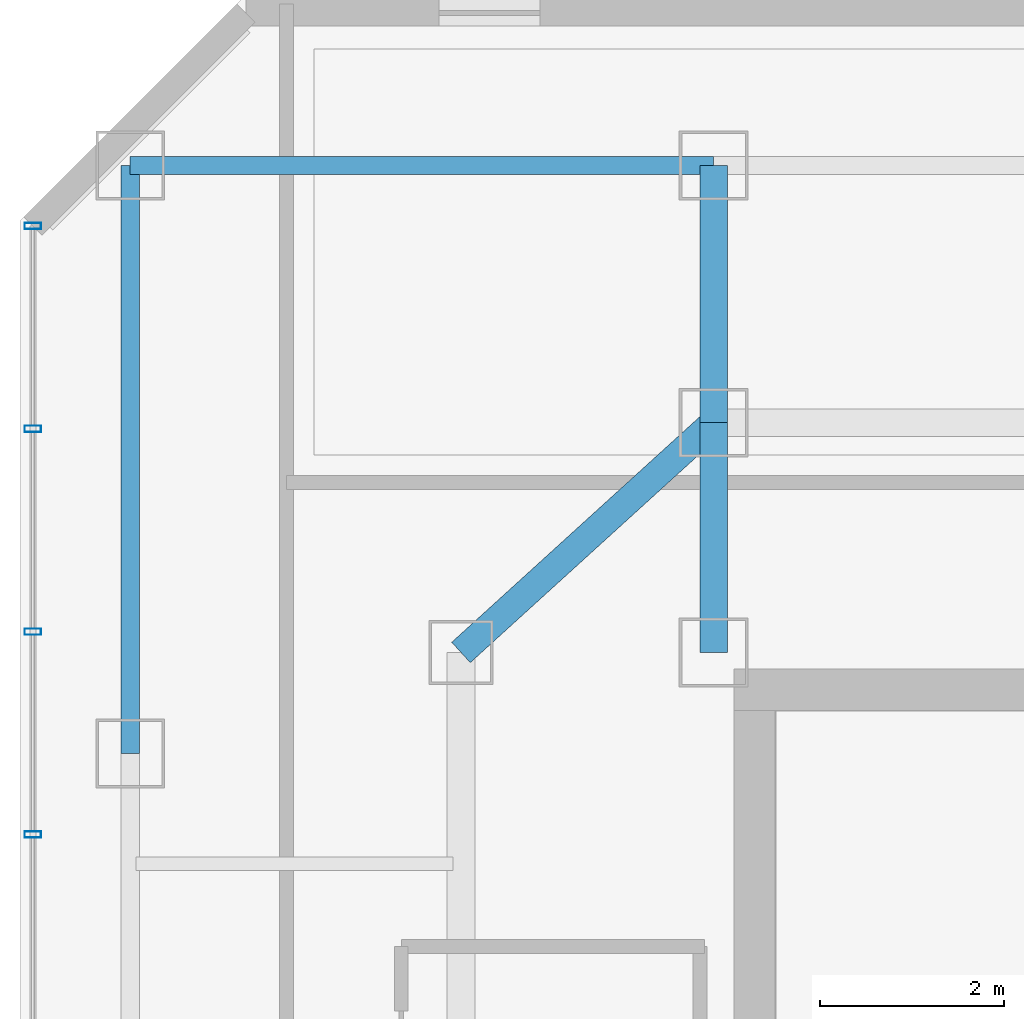
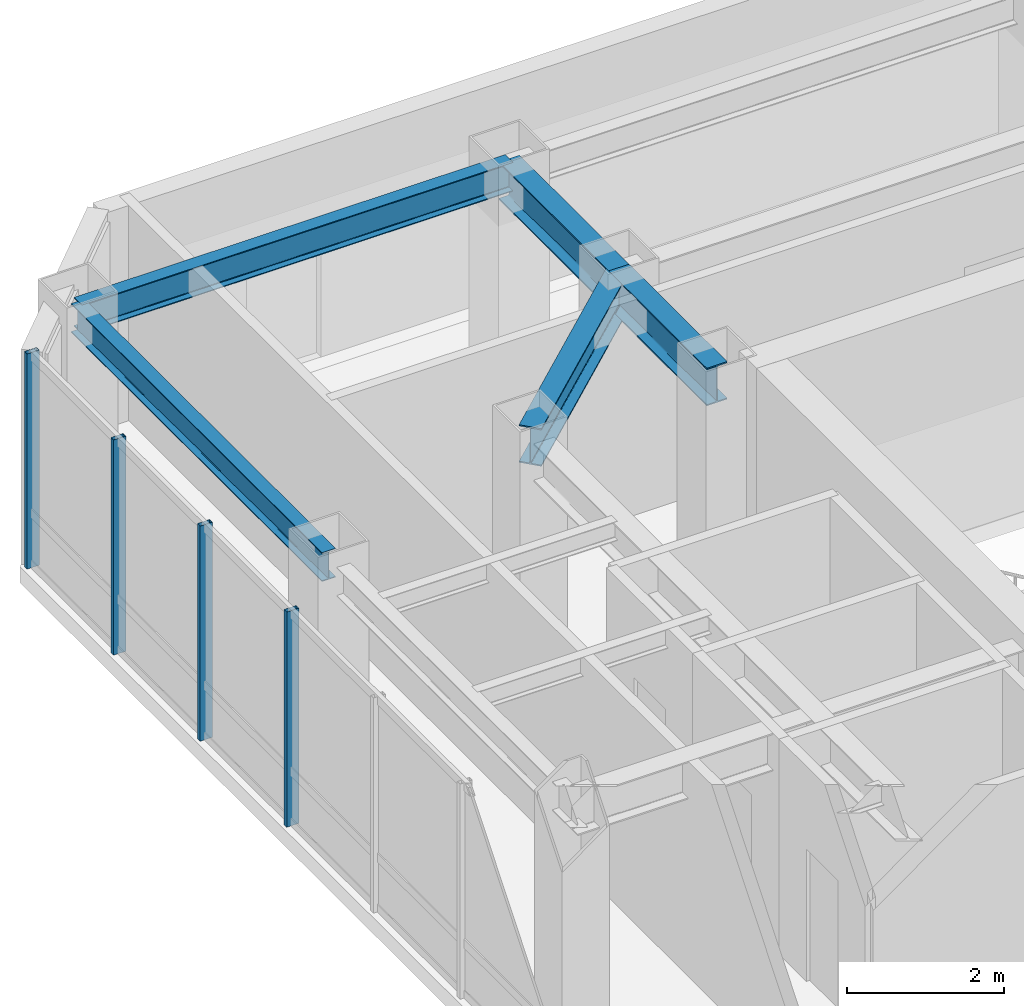
# One storey, part 15 of 24: 5 beams, 4 members, 1 element without a shape of its own.
"""IFC4 building model written with IfcOpenShell, lengths in metres."""

import ifcopenshell
import ifcopenshell.guid

model = None  # the IFC model being written
_history = None  # IfcOwnerHistory: only IFC2X3 demands one
_inside = {}  # id of a spatial element -> (the spatial element, [elements in it])
_under = {}  # id of a project, library or spatial element -> (it, [spatial elements below it])
_declared = {}  # id of a project -> (the project, [libraries it declares])
_typed = {}  # id of a type object -> (the type object, [elements of that type])
_made_of = {}  # id of a material, layer set ... -> (it, [elements and type objects made of it])


def new_model(schema):
    """Start an empty IFC model of exactly this schema.

    Asked for "IFC4X3", IfcOpenShell would pick the latest addendum, in which some entities
    have other attributes; the version numbers below select the first issue.
    IFC2X3 requires an IfcOwnerHistory on every rooted entity: one is made here for all.
    """
    global model, _history
    if schema == "IFC4X3":
        model = ifcopenshell.file(schema_version=(4, 3, 0, 0))
    else:
        model = ifcopenshell.file(schema=schema)
    _inside.clear()
    _under.clear()
    _declared.clear()
    _typed.clear()
    _made_of.clear()
    _history = None
    if model.schema == "IFC2X3":
        org = make("IfcOrganization", Name="unknown")
        user = make(
            "IfcPersonAndOrganization",
            ThePerson=make("IfcPerson", FamilyName="unknown"),
            TheOrganization=org,
        )
        app = make(
            "IfcApplication",
            ApplicationDeveloper=org,
            Version="unknown",
            ApplicationFullName="unknown",
            ApplicationIdentifier="unknown",
        )
        _history = make(
            "IfcOwnerHistory",
            OwningUser=user,
            OwningApplication=app,
            ChangeAction="ADDED",
            CreationDate=0,
        )
    return model


def make(cls, **values):
    """One entity of the class cls with the attributes given. An attribute that is None is left unset."""
    return model.create_entity(
        cls, **{name: value for name, value in values.items() if value is not None}
    )


def rooted(cls, **values):
    """An entity with a GlobalId (a new one), such as an element, a storey or a relation."""
    return make(cls, GlobalId=ifcopenshell.guid.new(), OwnerHistory=_history, **values)


def si_unit(unit_type, name, prefix=None):
    """IfcSIUnit, for example si_unit("LENGTHUNIT", "METRE", prefix="MILLI")."""
    return make("IfcSIUnit", UnitType=unit_type, Prefix=prefix, Name=name)


def assignment(units):
    """IfcUnitAssignment: the units of a project."""
    return None if units is None else make("IfcUnitAssignment", Units=units)


def point(xyz):
    """IfcCartesianPoint."""
    return None if xyz is None else make("IfcCartesianPoint", Coordinates=xyz)


def direction(xyz):
    """IfcDirection."""
    return None if xyz is None else make("IfcDirection", DirectionRatios=xyz)


def frame(location, z_axis=None, x_axis=None):
    """IfcAxis2Placement3D, a coordinate frame: its origin and axes. An axis left out is left unset."""
    return make(
        "IfcAxis2Placement3D",
        Location=point(location),
        Axis=direction(z_axis),
        RefDirection=direction(x_axis),
    )


def frame_2d(location, x_axis=None):
    """IfcAxis2Placement2D, a coordinate frame in the plane: its origin and x axis."""
    return make(
        "IfcAxis2Placement2D", Location=point(location), RefDirection=direction(x_axis)
    )


def origin():
    """The frame at (0, 0, 0) with its axes left unset."""
    return frame((0.0, 0.0, 0.0))


def origin_2d():
    """The frame at (0, 0) in the plane with its x axis left unset."""
    return frame_2d((0.0, 0.0))


def place(relative_to, where):
    """IfcLocalPlacement: puts the frame where relative to a parent placement (None: the world)."""
    return make(
        "IfcLocalPlacement", PlacementRelTo=relative_to, RelativePlacement=where
    )


def context(
    kind, dimensions, precision=None, world=None, true_north=None, identifier=None
):
    """IfcGeometricRepresentationContext, for example the 3D "Model" context."""
    return make(
        "IfcGeometricRepresentationContext",
        ContextIdentifier=identifier,
        ContextType=kind,
        CoordinateSpaceDimension=dimensions,
        Precision=precision,
        WorldCoordinateSystem=world,
        TrueNorth=true_north,
    )


def subcontext(parent, identifier, kind, view, scale=None):
    """IfcGeometricRepresentationSubContext, for example "Body" below "Model"."""
    return make(
        "IfcGeometricRepresentationSubContext",
        ContextIdentifier=identifier,
        ContextType=kind,
        ParentContext=parent,
        TargetScale=scale,
        TargetView=view,
    )


def project(units=None, contexts=None):
    """IfcProject with its units and contexts."""
    return rooted(
        "IfcProject",
        Name="project",
        RepresentationContexts=contexts,
        UnitsInContext=assignment(units),
    )


def spatial(cls, under=None, at=None, **own):
    """A site, building, storey or space (cls), placed at a placement, below another one or the project."""
    s = rooted(cls, ObjectPlacement=at, **own)
    if under is not None:
        _under.setdefault(under.id(), (under, []))[1].append(s)
    return s


def profile(cls, at=None, kind="AREA", **sizes):
    """A parametric profile (cls). Its sizes go by their IFC names, for example OverallWidth=200.0."""
    return make(cls, ProfileType=kind, Position=at, **sizes)


def hollow_rectangle(**sizes):
    """IfcRectangleHollowProfileDef."""
    return profile("IfcRectangleHollowProfileDef", **sizes)


def i_section(**sizes):
    """IfcIShapeProfileDef."""
    return profile("IfcIShapeProfileDef", **sizes)


def extrude(swept, where, along, depth):
    """IfcExtrudedAreaSolid: the profile swept, set in the frame where, extruded along a direction by depth."""
    return make(
        "IfcExtrudedAreaSolid",
        SweptArea=swept,
        Position=where,
        ExtrudedDirection=direction(along),
        Depth=depth,
    )


def shape(context_of_items, identifier, shape_type, items):
    """IfcShapeRepresentation: the items that make up one representation, for example the "Body"."""
    return make(
        "IfcShapeRepresentation",
        ContextOfItems=context_of_items,
        RepresentationIdentifier=identifier,
        RepresentationType=shape_type,
        Items=items,
    )


def material(Name=None, Category=None):
    """IfcMaterial."""
    return make("IfcMaterial", Name=Name, Category=Category)


def layer(
    of_material, thickness, ventilated=None, Name=None, Category=None, Priority=None
):
    """IfcMaterialLayer: one layer of a wall or slab, of a material (None: an air gap)."""
    return make(
        "IfcMaterialLayer",
        Material=of_material,
        LayerThickness=thickness,
        IsVentilated=ventilated,
        Name=Name,
        Category=Category,
        Priority=Priority,
    )


def layer_set(layers, Name=None):
    """IfcMaterialLayerSet."""
    return make("IfcMaterialLayerSet", MaterialLayers=layers, LayerSetName=Name)


def material_profile(
    of_material, cross_section, Name=None, Category=None, Priority=None
):
    """IfcMaterialProfile: a cross section and its material."""
    return make(
        "IfcMaterialProfile",
        Name=Name,
        Material=of_material,
        Profile=cross_section,
        Priority=Priority,
        Category=Category,
    )


def profile_set(profiles, Name=None, composite=None):
    """IfcMaterialProfileSet."""
    return make(
        "IfcMaterialProfileSet",
        Name=Name,
        MaterialProfiles=profiles,
        CompositeProfile=composite,
    )


def made_of(thing, what):
    """Note that an element or type object is made of a material, layer set ...; save() writes the relation."""
    if what is not None:
        _made_of.setdefault(what.id(), (what, []))[1].append(thing)
    return thing


def type_object(cls, material=None, **own):
    """A type object (cls), such as IfcWallType, which elements share."""
    return made_of(rooted(cls, **own), material)


def element(
    cls,
    number,
    at=None,
    inside=None,
    cuts=None,
    type_object=None,
    material=None,
    context=None,
    identifier="Body",
    shape_type=None,
    held_by="IfcProductDefinitionShape",
    body=None,
    shapes=None,
    **own,
):
    """One element of the class cls, such as IfcWall. Its Tag is "e" and its number.

    at: its placement. inside: the storey or other place that contains it. cuts: it is an
    opening in that element (IfcRelVoidsElement). A single representation is given by context,
    identifier, shape_type and body (its items); several are given by shapes. held_by: the class
    of the entity that holds the representations. save() writes the other relations.
    """
    e = rooted(cls, Tag="e%d" % number, ObjectPlacement=at, **own)
    if body is not None:
        shapes = [shape(context, identifier, shape_type, body)]
    if shapes is not None:
        e.Representation = make(held_by, Representations=shapes)
    if inside is not None:
        _inside.setdefault(inside.id(), (inside, []))[1].append(e)
    if cuts is not None:
        rooted(
            "IfcRelVoidsElement", RelatingBuildingElement=cuts, RelatedOpeningElement=e
        )
    if type_object is not None:
        _typed.setdefault(type_object.id(), (type_object, []))[1].append(e)
    return made_of(e, material)


def aggregate(whole, parts):
    """IfcRelAggregates: a whole, such as a stair, and the parts it consists of."""
    return rooted("IfcRelAggregates", RelatingObject=whole, RelatedObjects=parts)


def save(model, path):
    """Write the relations noted so far, then the file.

    IfcRelAggregates (storeys below a building ...), IfcRelContainedInSpatialStructure (elements
    in a storey), IfcRelDefinesByType, IfcRelAssociatesMaterial and IfcRelDeclares: one each for
    every whole, place, type object, material and project.
    """
    for whole, parts in _under.values():
        aggregate(whole, parts)
    for where, things in _inside.values():
        rooted(
            "IfcRelContainedInSpatialStructure",
            RelatedElements=things,
            RelatingStructure=where,
        )
    for kind, things in _typed.values():
        rooted("IfcRelDefinesByType", RelatedObjects=things, RelatingType=kind)
    for what, things in _made_of.values():
        rooted("IfcRelAssociatesMaterial", RelatedObjects=things, RelatingMaterial=what)
    for by, libraries in _declared.values():
        rooted("IfcRelDeclares", RelatingContext=by, RelatedDefinitions=libraries)
    model.write(path)


model = new_model("IFC4")

# Units and contexts
model_context = context("Model", 3, precision=1e-05, world=origin(), true_north=direction((0.0, 1.0)))
body_context = subcontext(model_context, "Body", "Model", "MODEL_VIEW")
ifc_project = project(units=[si_unit("LENGTHUNIT", "METRE"), si_unit("AREAUNIT", "SQUARE_METRE"), si_unit("VOLUMEUNIT", "CUBIC_METRE"), si_unit("PLANEANGLEUNIT", "RADIAN"), si_unit("MASSUNIT", "GRAM", prefix="KILO")], contexts=[model_context])

# Site, building, storey
site_placement = place(None, origin())
site = spatial("IfcSite", under=ifc_project, at=site_placement, CompositionType="ELEMENT")
building_placement = place(site_placement, origin())
building = spatial("IfcBuilding", under=site, at=building_placement, Name="Hatsunagi Terrace Concourse", CompositionType="ELEMENT")
storey_placement = place(building_placement, frame((0.0, 0.0, 191.550048828125)))
storey = spatial("IfcBuildingStorey", under=building, at=storey_placement, Name="L50", CompositionType="ELEMENT", Elevation=191.550048828125)

# Curtain wall, members
ifc_material_1 = material(Name="Anodised Aluminium Alloy 6063-T5", Category="aluminium")
ifc_layer = layer(ifc_material_1, 0.199951171875)
ifc_layer_set = layer_set([ifc_layer], Name="OfficeZone2_CW04")
curtain_wall_type = type_object("IfcCurtainWallType", Name="OfficeZone2_CW04", PredefinedType="NOTDEFINED", material=ifc_layer_set)
curtain_wall_placement = place(storey_placement, origin())
curtain_wall = element("IfcCurtainWall", 1, at=curtain_wall_placement, inside=storey, type_object=curtain_wall_type, Name="Unitised Curtain Wall CW-04 CW-L50-08", PredefinedType="NOTDEFINED")
ifc_material_2 = material(Name="Anodised Aluminium Alloy 6063-T5", Category="aluminium")
ifc_material_profile_1 = material_profile(ifc_material_2, hollow_rectangle(XDim=0.070068359375, YDim=0.179931640625, WallThickness=0.00390625, at=origin_2d()), Name="ALU-MUL-180x70x4")
ifc_profile_set_1 = profile_set([ifc_material_profile_1], Name="Anodised Aluminium Alloy 6063-T5")
member_type = type_object("IfcMemberType", Name="CurtainWallMullion_180x70", PredefinedType="MULLION", material=ifc_profile_set_1)
member_1_placement = place(storey_placement, frame((18.139892578125, 41.31689453125, 0.0), z_axis=(0.0, 0.0, 1.0), x_axis=(0.0, 1.0, 0.0)))
member_1 = element("IfcMember", 2, at=member_1_placement, type_object=member_type, Name="Curtain Wall Mullion MUL-02", PredefinedType="MULLION", context=body_context, shape_type="SweptSolid", body=[
    extrude(hollow_rectangle(XDim=0.070068359375, YDim=0.179931640625, WallThickness=0.00390625, at=origin_2d()), origin(), (0.0, 0.0, 1.0), 3.349853515625),
])
member_2_placement = place(storey_placement, frame((18.139892578125, 43.52490234375, 0.0), z_axis=(0.0, 0.0, 1.0), x_axis=(0.0, 1.0, 0.0)))
member_2 = element("IfcMember", 3, at=member_2_placement, type_object=member_type, Name="Curtain Wall Mullion MUL-02", PredefinedType="MULLION", context=body_context, shape_type="SweptSolid", body=[
    extrude(hollow_rectangle(XDim=0.070068359375, YDim=0.179931640625, WallThickness=0.00390625, at=origin_2d()), origin(), (0.0, 0.0, 1.0), 3.349853515625),
])
member_3_placement = place(storey_placement, frame((18.139892578125, 45.73388671875, 0.0), z_axis=(0.0, 0.0, 1.0), x_axis=(0.0, 1.0, 0.0)))
member_3 = element("IfcMember", 4, at=member_3_placement, type_object=member_type, Name="Curtain Wall Mullion MUL-02", PredefinedType="MULLION", context=body_context, shape_type="SweptSolid", body=[
    extrude(hollow_rectangle(XDim=0.070068359375, YDim=0.179931640625, WallThickness=0.00390625, at=origin_2d()), origin(), (0.0, 0.0, 1.0), 3.349853515625),
])
member_4_placement = place(storey_placement, frame((18.139892578125, 47.94189453125, 0.0), z_axis=(0.0, 0.0, 1.0), x_axis=(0.0, 1.0, 0.0)))
member_4 = element("IfcMember", 5, at=member_4_placement, type_object=member_type, Name="Curtain Wall Mullion MUL-02", PredefinedType="MULLION", context=body_context, shape_type="SweptSolid", body=[
    extrude(hollow_rectangle(XDim=0.070068359375, YDim=0.179931640625, WallThickness=0.00390625, at=origin_2d()), origin(), (0.0, 0.0, 1.0), 3.349853515625),
])
aggregate(curtain_wall, [member_1, member_2, member_3, member_4])

# Beams
ifc_material_3 = material(Name="Steel SN490B", Category="steel")
ifc_material_profile_2 = material_profile(ifc_material_3, i_section(OverallWidth=0.300048828125, OverallDepth=0.587890625, WebThickness=0.011962890625, FlangeThickness=0.02001953125, FilletRadius=0.01806640625, at=origin_2d()), Name="H-588x300x12x20")
ifc_profile_set_2 = profile_set([ifc_material_profile_2], Name="Steel SN490B")
beam_type_1 = type_object("IfcBeamType", Name="OfficeHighGirder_H_588x300", PredefinedType="BEAM", material=ifc_profile_set_2)
beam_1_placement = place(storey_placement, frame((25.550048828125, 43.300048828125, 3.055908203125), z_axis=(0.0, 1.0, 0.0), x_axis=(-1.0, 0.0, 0.0)))
element("IfcBeam", 6, at=beam_1_placement, inside=storey, type_object=beam_type_1, Name="Beam G-06 BM-L50-CN1", PredefinedType="BEAM", context=body_context, shape_type="SweptSolid", body=[
    extrude(i_section(OverallWidth=0.300048828125, OverallDepth=0.587890625, WebThickness=0.011962890625, FlangeThickness=0.02001953125, FilletRadius=0.01806640625, at=origin_2d()), origin(), (0.0, 0.0, 1.0), 2.5),
])
beam_2_placement = place(storey_placement, frame((25.550048828125, 45.800048828125, 3.055908203125), z_axis=(0.0, 1.0, 0.0), x_axis=(-1.0, 0.0, 0.0)))
element("IfcBeam", 7, at=beam_2_placement, inside=storey, type_object=beam_type_1, Name="Beam G-06 BM-L50-KN-WN4", PredefinedType="BEAM", context=body_context, shape_type="SweptSolid", body=[
    extrude(i_section(OverallWidth=0.300048828125, OverallDepth=0.587890625, WebThickness=0.011962890625, FlangeThickness=0.02001953125, FilletRadius=0.01806640625, at=origin_2d()), origin(), (0.0, 0.0, 1.0), 2.800048828125),
])
beam_3_placement = place(storey_placement, frame((22.800048828125, 43.300048828125, 3.055908203125), z_axis=(0.739940073396, 0.672672793996, 0.0), x_axis=(-0.672672793996, 0.739940073396, 0.0)))
element("IfcBeam", 8, at=beam_3_placement, inside=storey, type_object=beam_type_1, Name="Beam G-06 BM-L50-CWEW-N", PredefinedType="BEAM", context=body_context, shape_type="SweptSolid", body=[
    extrude(i_section(OverallWidth=0.300048828125, OverallDepth=0.587890625, WebThickness=0.011962890625, FlangeThickness=0.02001953125, FilletRadius=0.01806640625, at=origin_2d()), origin(), (0.0, 0.0, 1.0), 3.716552734375),
])
ifc_material_4 = material(Name="Steel SN490B", Category="steel")
ifc_material_profile_3 = material_profile(ifc_material_4, i_section(OverallWidth=0.199951171875, OverallDepth=0.449951171875, WebThickness=0.009033203125, FlangeThickness=0.013916015625, FilletRadius=0.01611328125, at=origin_2d()), Name="H-450x200x9x14")
ifc_profile_set_3 = profile_set([ifc_material_profile_3], Name="Steel SN490B")
beam_type_2 = type_object("IfcBeamType", Name="PerimeterSpandrel_H_450x200", PredefinedType="SPANDREL", material=ifc_profile_set_3)
beam_4_placement = place(storey_placement, frame((19.199951171875, 48.60009765625, 3.125), z_axis=(1.0, 0.0, 0.0), x_axis=(0.0, 1.0, 0.0)))
element("IfcBeam", 9, at=beam_4_placement, inside=storey, type_object=beam_type_2, Name="Beam SP-02 BM-L50-WN-19", PredefinedType="SPANDREL", context=body_context, shape_type="SweptSolid", body=[
    extrude(i_section(OverallWidth=0.199951171875, OverallDepth=0.449951171875, WebThickness=0.009033203125, FlangeThickness=0.013916015625, FilletRadius=0.01611328125, at=origin_2d()), origin(), (0.0, 0.0, 1.0), 6.35009765625),
])
beam_5_placement = place(storey_placement, frame((19.199951171875, 42.199951171875, 3.125), z_axis=(0.0, 1.0, 0.0), x_axis=(-1.0, 0.0, 0.0)))
element("IfcBeam", 10, at=beam_5_placement, inside=storey, type_object=beam_type_2, Name="Beam SP-02 BM-L50-NS-19-42", PredefinedType="SPANDREL", context=body_context, shape_type="SweptSolid", body=[
    extrude(i_section(OverallWidth=0.199951171875, OverallDepth=0.449951171875, WebThickness=0.009033203125, FlangeThickness=0.013916015625, FilletRadius=0.01611328125, at=origin_2d()), origin(), (0.0, 0.0, 1.0), 6.400146484375),
])

save(model, "model.ifc")
